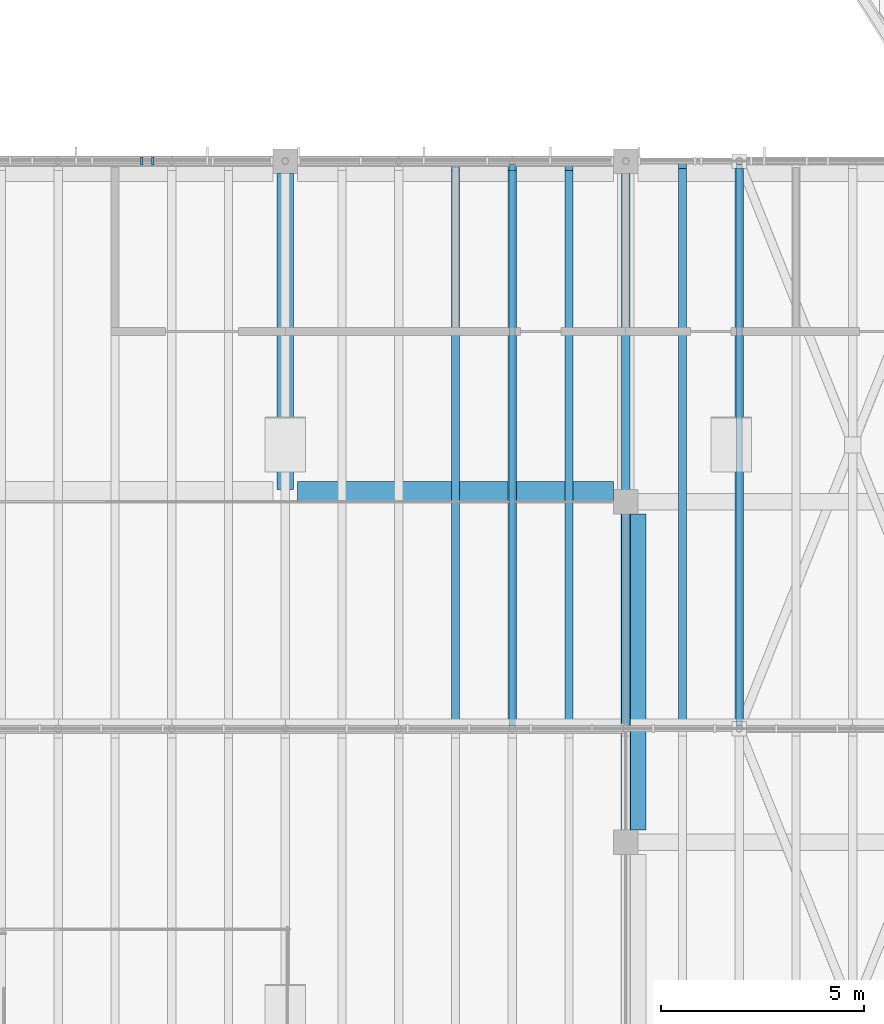
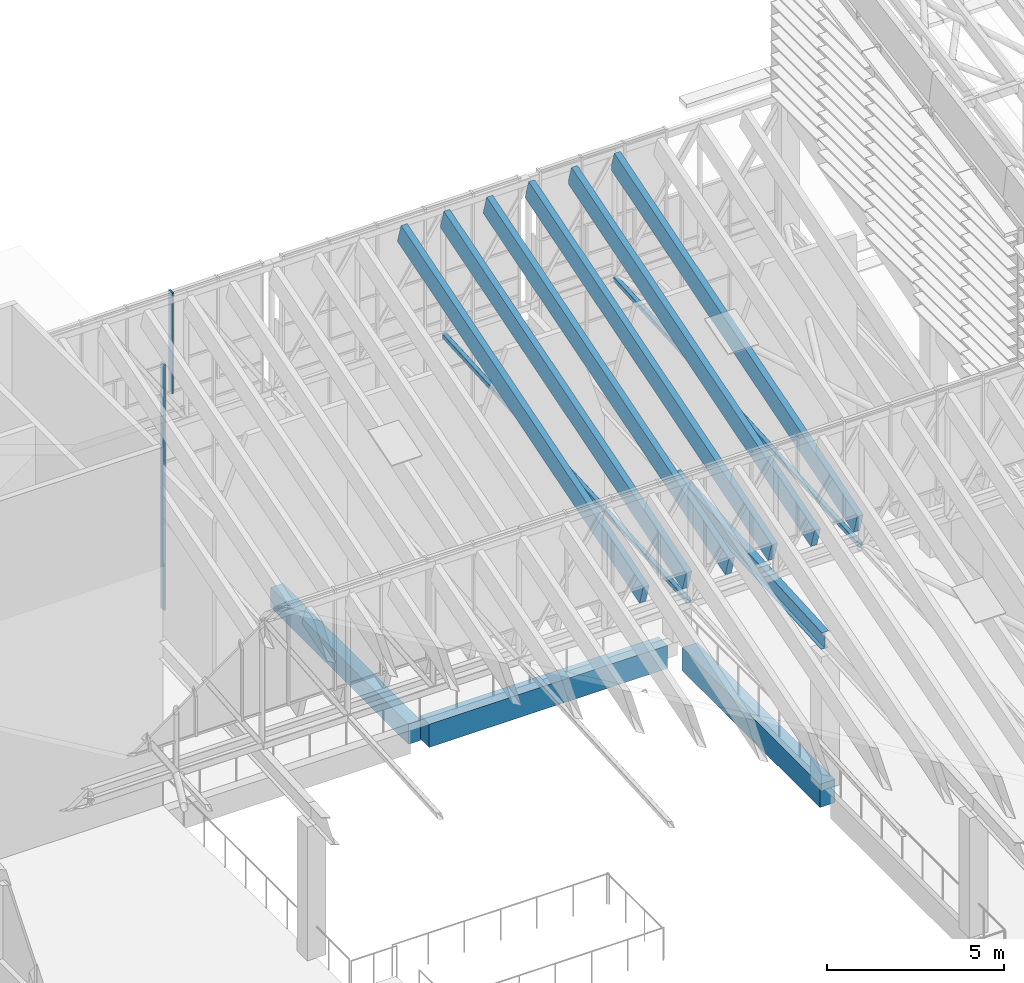
# One storey, part 32 of 91: 10 members, 4 beams, 2 elements without a shape of their own.
"""IFC4 building model written with IfcOpenShell, lengths in metres."""

import ifcopenshell
import ifcopenshell.guid

model = None  # the IFC model being written
_history = None  # IfcOwnerHistory: only IFC2X3 demands one
_inside = {}  # id of a spatial element -> (the spatial element, [elements in it])
_under = {}  # id of a project, library or spatial element -> (it, [spatial elements below it])
_declared = {}  # id of a project -> (the project, [libraries it declares])
_typed = {}  # id of a type object -> (the type object, [elements of that type])
_made_of = {}  # id of a material, layer set ... -> (it, [elements and type objects made of it])


def new_model(schema):
    """Start an empty IFC model of exactly this schema.

    Asked for "IFC4X3", IfcOpenShell would pick the latest addendum, in which some entities
    have other attributes; the version numbers below select the first issue.
    IFC2X3 requires an IfcOwnerHistory on every rooted entity: one is made here for all.
    """
    global model, _history
    if schema == "IFC4X3":
        model = ifcopenshell.file(schema_version=(4, 3, 0, 0))
    else:
        model = ifcopenshell.file(schema=schema)
    _inside.clear()
    _under.clear()
    _declared.clear()
    _typed.clear()
    _made_of.clear()
    _history = None
    if model.schema == "IFC2X3":
        org = make("IfcOrganization", Name="unknown")
        user = make(
            "IfcPersonAndOrganization",
            ThePerson=make("IfcPerson", FamilyName="unknown"),
            TheOrganization=org,
        )
        app = make(
            "IfcApplication",
            ApplicationDeveloper=org,
            Version="unknown",
            ApplicationFullName="unknown",
            ApplicationIdentifier="unknown",
        )
        _history = make(
            "IfcOwnerHistory",
            OwningUser=user,
            OwningApplication=app,
            ChangeAction="ADDED",
            CreationDate=0,
        )
    return model


def make(cls, **values):
    """One entity of the class cls with the attributes given. An attribute that is None is left unset."""
    return model.create_entity(
        cls, **{name: value for name, value in values.items() if value is not None}
    )


def rooted(cls, **values):
    """An entity with a GlobalId (a new one), such as an element, a storey or a relation."""
    return make(cls, GlobalId=ifcopenshell.guid.new(), OwnerHistory=_history, **values)


def si_unit(unit_type, name, prefix=None):
    """IfcSIUnit, for example si_unit("LENGTHUNIT", "METRE", prefix="MILLI")."""
    return make("IfcSIUnit", UnitType=unit_type, Prefix=prefix, Name=name)


def assignment(units):
    """IfcUnitAssignment: the units of a project."""
    return None if units is None else make("IfcUnitAssignment", Units=units)


def point(xyz):
    """IfcCartesianPoint."""
    return None if xyz is None else make("IfcCartesianPoint", Coordinates=xyz)


def direction(xyz):
    """IfcDirection."""
    return None if xyz is None else make("IfcDirection", DirectionRatios=xyz)


def frame(location, z_axis=None, x_axis=None):
    """IfcAxis2Placement3D, a coordinate frame: its origin and axes. An axis left out is left unset."""
    return make(
        "IfcAxis2Placement3D",
        Location=point(location),
        Axis=direction(z_axis),
        RefDirection=direction(x_axis),
    )


def frame_2d(location, x_axis=None):
    """IfcAxis2Placement2D, a coordinate frame in the plane: its origin and x axis."""
    return make(
        "IfcAxis2Placement2D", Location=point(location), RefDirection=direction(x_axis)
    )


def origin():
    """The frame at (0, 0, 0) with its axes left unset."""
    return frame((0.0, 0.0, 0.0))


def origin_2d():
    """The frame at (0, 0) in the plane with its x axis left unset."""
    return frame_2d((0.0, 0.0))


def place(relative_to, where):
    """IfcLocalPlacement: puts the frame where relative to a parent placement (None: the world)."""
    return make(
        "IfcLocalPlacement", PlacementRelTo=relative_to, RelativePlacement=where
    )


def context(
    kind, dimensions, precision=None, world=None, true_north=None, identifier=None
):
    """IfcGeometricRepresentationContext, for example the 3D "Model" context."""
    return make(
        "IfcGeometricRepresentationContext",
        ContextIdentifier=identifier,
        ContextType=kind,
        CoordinateSpaceDimension=dimensions,
        Precision=precision,
        WorldCoordinateSystem=world,
        TrueNorth=true_north,
    )


def subcontext(parent, identifier, kind, view, scale=None):
    """IfcGeometricRepresentationSubContext, for example "Body" below "Model"."""
    return make(
        "IfcGeometricRepresentationSubContext",
        ContextIdentifier=identifier,
        ContextType=kind,
        ParentContext=parent,
        TargetScale=scale,
        TargetView=view,
    )


def project(units=None, contexts=None):
    """IfcProject with its units and contexts."""
    return rooted(
        "IfcProject",
        Name="project",
        RepresentationContexts=contexts,
        UnitsInContext=assignment(units),
    )


def spatial(cls, under=None, at=None, **own):
    """A site, building, storey or space (cls), placed at a placement, below another one or the project."""
    s = rooted(cls, ObjectPlacement=at, **own)
    if under is not None:
        _under.setdefault(under.id(), (under, []))[1].append(s)
    return s


def profile(cls, at=None, kind="AREA", **sizes):
    """A parametric profile (cls). Its sizes go by their IFC names, for example OverallWidth=200.0."""
    return make(cls, ProfileType=kind, Position=at, **sizes)


def rectangle(**sizes):
    """IfcRectangleProfileDef."""
    return profile("IfcRectangleProfileDef", **sizes)


def hollow_rectangle(**sizes):
    """IfcRectangleHollowProfileDef."""
    return profile("IfcRectangleHollowProfileDef", **sizes)


def i_section(**sizes):
    """IfcIShapeProfileDef."""
    return profile("IfcIShapeProfileDef", **sizes)


def extrude(swept, where, along, depth):
    """IfcExtrudedAreaSolid: the profile swept, set in the frame where, extruded along a direction by depth."""
    return make(
        "IfcExtrudedAreaSolid",
        SweptArea=swept,
        Position=where,
        ExtrudedDirection=direction(along),
        Depth=depth,
    )


def shape(context_of_items, identifier, shape_type, items):
    """IfcShapeRepresentation: the items that make up one representation, for example the "Body"."""
    return make(
        "IfcShapeRepresentation",
        ContextOfItems=context_of_items,
        RepresentationIdentifier=identifier,
        RepresentationType=shape_type,
        Items=items,
    )


def material(Name=None, Category=None):
    """IfcMaterial."""
    return make("IfcMaterial", Name=Name, Category=Category)


def material_profile(
    of_material, cross_section, Name=None, Category=None, Priority=None
):
    """IfcMaterialProfile: a cross section and its material."""
    return make(
        "IfcMaterialProfile",
        Name=Name,
        Material=of_material,
        Profile=cross_section,
        Priority=Priority,
        Category=Category,
    )


def profile_set(profiles, Name=None, composite=None):
    """IfcMaterialProfileSet."""
    return make(
        "IfcMaterialProfileSet",
        Name=Name,
        MaterialProfiles=profiles,
        CompositeProfile=composite,
    )


def made_of(thing, what):
    """Note that an element or type object is made of a material, layer set ...; save() writes the relation."""
    if what is not None:
        _made_of.setdefault(what.id(), (what, []))[1].append(thing)
    return thing


def type_object(cls, material=None, **own):
    """A type object (cls), such as IfcWallType, which elements share."""
    return made_of(rooted(cls, **own), material)


def element(
    cls,
    number,
    at=None,
    inside=None,
    cuts=None,
    type_object=None,
    material=None,
    context=None,
    identifier="Body",
    shape_type=None,
    held_by="IfcProductDefinitionShape",
    body=None,
    shapes=None,
    **own,
):
    """One element of the class cls, such as IfcWall. Its Tag is "e" and its number.

    at: its placement. inside: the storey or other place that contains it. cuts: it is an
    opening in that element (IfcRelVoidsElement). A single representation is given by context,
    identifier, shape_type and body (its items); several are given by shapes. held_by: the class
    of the entity that holds the representations. save() writes the other relations.
    """
    e = rooted(cls, Tag="e%d" % number, ObjectPlacement=at, **own)
    if body is not None:
        shapes = [shape(context, identifier, shape_type, body)]
    if shapes is not None:
        e.Representation = make(held_by, Representations=shapes)
    if inside is not None:
        _inside.setdefault(inside.id(), (inside, []))[1].append(e)
    if cuts is not None:
        rooted(
            "IfcRelVoidsElement", RelatingBuildingElement=cuts, RelatedOpeningElement=e
        )
    if type_object is not None:
        _typed.setdefault(type_object.id(), (type_object, []))[1].append(e)
    return made_of(e, material)


def aggregate(whole, parts):
    """IfcRelAggregates: a whole, such as a stair, and the parts it consists of."""
    return rooted("IfcRelAggregates", RelatingObject=whole, RelatedObjects=parts)


def save(model, path):
    """Write the relations noted so far, then the file.

    IfcRelAggregates (storeys below a building ...), IfcRelContainedInSpatialStructure (elements
    in a storey), IfcRelDefinesByType, IfcRelAssociatesMaterial and IfcRelDeclares: one each for
    every whole, place, type object, material and project.
    """
    for whole, parts in _under.values():
        aggregate(whole, parts)
    for where, things in _inside.values():
        rooted(
            "IfcRelContainedInSpatialStructure",
            RelatedElements=things,
            RelatingStructure=where,
        )
    for kind, things in _typed.values():
        rooted("IfcRelDefinesByType", RelatedObjects=things, RelatingType=kind)
    for what, things in _made_of.values():
        rooted("IfcRelAssociatesMaterial", RelatedObjects=things, RelatingMaterial=what)
    for by, libraries in _declared.values():
        rooted("IfcRelDeclares", RelatingContext=by, RelatedDefinitions=libraries)
    model.write(path)


model = new_model("IFC4")

# Units and contexts
model_context = context("Model", 3, precision=1e-05, world=origin(), true_north=direction((0.0, 1.0)))
body_context = subcontext(model_context, "Body", "Model", "MODEL_VIEW")
ifc_project = project(units=[si_unit("LENGTHUNIT", "METRE"), si_unit("AREAUNIT", "SQUARE_METRE"), si_unit("VOLUMEUNIT", "CUBIC_METRE"), si_unit("PLANEANGLEUNIT", "RADIAN"), si_unit("MASSUNIT", "GRAM", prefix="KILO")], contexts=[model_context])

# Site, building, storey
site_placement = place(None, origin())
site = spatial("IfcSite", under=ifc_project, at=site_placement, CompositionType="ELEMENT")
building_placement = place(site_placement, origin())
building = spatial("IfcBuilding", under=site, at=building_placement, Name="Almond Square Museum", CompositionType="ELEMENT")
storey_placement = place(building_placement, frame((0.0, 0.0, 30.0)))
storey = spatial("IfcBuildingStorey", under=building, at=storey_placement, Name="L05", CompositionType="ELEMENT", Elevation=30.0)

# Curtain wall, member
ifc_material_1 = material(Name="Aluminium and laminated glass", Category="aluminium")
curtain_wall_type = type_object("IfcCurtainWallType", Name="Unitised curtain wall 1500 module", PredefinedType="NOTDEFINED", material=ifc_material_1)
curtain_wall_1_placement = place(storey_placement, origin())
curtain_wall_1 = element("IfcCurtainWall", 1, at=curtain_wall_1_placement, inside=storey, type_object=curtain_wall_type, Name="Curtain wall CW-55", PredefinedType="NOTDEFINED")
ifc_material_2 = material(Name="Anodised aluminium", Category="aluminium")
ifc_material_profile_1 = material_profile(ifc_material_2, rectangle(XDim=0.199951171875, YDim=0.06005859375, at=origin_2d()))
ifc_profile_set_1 = profile_set([ifc_material_profile_1], Name="Anodised aluminium")
member_type_1 = type_object("IfcMemberType", Name="Aluminium mullion 60 x 200", PredefinedType="MULLION", material=ifc_profile_set_1)
member_1_placement = place(storey_placement, frame((86.4599609375, 109.199951171875, 0.0), z_axis=(0.0, 0.0, 1.0), x_axis=(0.0, 1.0, 0.0)))
member_1 = element("IfcMember", 2, at=member_1_placement, type_object=member_type_1, Name="CW-55 mullion 4", PredefinedType="MULLION", context=body_context, shape_type="SweptSolid", body=[
    extrude(rectangle(XDim=0.199951171875, YDim=0.06005859375, at=origin_2d()), origin(), (0.0, 0.0, 1.0), 8.480224609375),
])
aggregate(curtain_wall_1, [member_1])

curtain_wall_2_placement = place(storey_placement, origin())
curtain_wall_2 = element("IfcCurtainWall", 3, at=curtain_wall_2_placement, inside=storey, type_object=curtain_wall_type, Name="Rooflight glazing AG3", PredefinedType="NOTDEFINED")
member_2_placement = place(storey_placement, frame((86.727294921875, 109.199951171875, 7.39990234375), z_axis=(0.0, 0.0, 1.0), x_axis=(0.0, 1.0, 0.0)))
member_2 = element("IfcMember", 4, at=member_2_placement, type_object=member_type_1, Name="CW-58 mullion 10", PredefinedType="MULLION", context=body_context, shape_type="SweptSolid", body=[
    extrude(rectangle(XDim=0.199951171875, YDim=0.06005859375, at=origin_2d()), origin(), (0.0, 0.0, 1.0), 3.480224609375),
])
aggregate(curtain_wall_2, [member_2])

# Beam
ifc_material_3 = material(Name="Structural steel S355", Category="steel")
ifc_material_profile_2 = material_profile(ifc_material_3, i_section(OverallWidth=0.22802734375, OverallDepth=0.60693359375, WebThickness=0.01123046875, FlangeThickness=0.017333984375, at=origin_2d()))
ifc_profile_set_2 = profile_set([ifc_material_profile_2], Name="Structural steel S355")
beam_type_1 = type_object("IfcBeamType", Name="Girder W610x113", PredefinedType="BEAM", material=ifc_profile_set_2)
beam_1_placement = place(storey_placement, frame((98.39990234375, 92.39990234375, 4.916748046875), z_axis=(0.0, 0.998371523297, 0.057046485157), x_axis=(-1.0, 0.0, 0.0)))
element("IfcBeam", 5, at=beam_1_placement, inside=storey, type_object=beam_type_1, Name="Atrium roof girder 3.3", PredefinedType="BEAM", context=body_context, shape_type="SweptSolid", body=[
    extrude(i_section(OverallWidth=0.22802734375, OverallDepth=0.60693359375, WebThickness=0.01123046875, FlangeThickness=0.017333984375, at=origin_2d()), origin(), (0.0, 0.0, 1.0), 8.413818359375),
])

# Members
ifc_material_4 = material(Name="Glulam GL28h", Category="wood")
ifc_material_profile_3 = material_profile(ifc_material_4, rectangle(XDim=0.199951171875, YDim=0.699951171875, at=origin_2d()))
ifc_profile_set_3 = profile_set([ifc_material_profile_3], Name="Glulam GL28h")
member_type_2 = type_object("IfcMemberType", Name="Glulam rafter GL28h 200x700", PredefinedType="RAFTER", material=ifc_profile_set_3)
for number, where, z_axis, x_axis, name in (
    (6, (94.199951171875, 95.35791015625, 6.177734375), (0.0, 0.956302273391, 0.292379824727), (-1.0, 0.0, 0.0), "Atrium rafter 3.16"),
    (7, (95.60009765625, 95.35791015625, 6.177734375), (0.0, 0.956302273391, 0.292379824727), (-1.0, 0.0, 0.0), "Atrium rafter 3.17"),
    (8, (97.0, 95.35791015625, 6.177734375), (0.0, 0.956302273391, 0.292379824727), (-1.0, 0.0, 0.0), "Atrium rafter 3.18"),
):
    element("IfcMember", number, at=place(storey_placement, frame(where, z_axis=z_axis, x_axis=x_axis)), inside=storey, type_object=member_type_2, Name=name, PredefinedType="RAFTER", context=body_context, shape_type="SweptSolid", body=[
        extrude(rectangle(XDim=0.199951171875, YDim=0.699951171875, at=origin_2d()), origin(), (0.0, 0.0, 1.0), 14.34375),
    ])
for number, where, z_axis, x_axis, name in (
    (9, (98.39990234375, 95.35791015625, 6.177734375), (0.0, 0.956305482031, 0.29236932985), (-1.0, 0.0, 0.0), "Atrium rafter 3.19"),
    (10, (99.800048828125, 95.35791015625, 6.177734375), (0.0, 0.956305482031, 0.29236932985), (-1.0, 0.0, 0.0), "Atrium rafter 3.20"),
    (11, (101.199951171875, 95.35791015625, 6.177734375), (0.0, 0.956305482031, 0.29236932985), (-1.0, 0.0, 0.0), "Atrium rafter 3.21"),
):
    element("IfcMember", number, at=place(storey_placement, frame(where, z_axis=z_axis, x_axis=x_axis)), inside=storey, type_object=member_type_2, Name=name, PredefinedType="RAFTER", context=body_context, shape_type="SweptSolid", body=[
        extrude(rectangle(XDim=0.199951171875, YDim=0.699951171875, at=origin_2d()), origin(), (0.0, 0.0, 1.0), 14.396240234375),
    ])

# Beams
ifc_material_5 = material(Name="Concrete C40/50", Category="concrete")
ifc_material_profile_4 = material_profile(ifc_material_5, rectangle(XDim=0.39990234375, YDim=0.699951171875, at=origin_2d()))
ifc_profile_set_4 = profile_set([ifc_material_profile_4], Name="Concrete C40/50")
beam_type_2 = type_object("IfcBeamType", Name="RC beam 400 x 700 C40/50", PredefinedType="BEAM", material=ifc_profile_set_4)
beam_2_placement = place(storey_placement, frame((90.0, 101.10009765625, -0.60009765625), z_axis=(0.0, 1.0, 0.0), x_axis=(-1.0, 0.0, 0.0)))
element("IfcBeam", 12, at=beam_2_placement, inside=storey, type_object=beam_type_2, Name="Beam 12 M-N L05", PredefinedType="BEAM", context=body_context, shape_type="SweptSolid", body=[
    extrude(rectangle(XDim=0.39990234375, YDim=0.699951171875, at=origin_2d()), origin(), (0.0, 0.0, 1.0), 7.7998046875),
])
ifc_material_6 = material(Name="Concrete C40/50", Category="concrete")
ifc_material_profile_5 = material_profile(ifc_material_6, rectangle(XDim=0.5, YDim=0.800048828125, at=origin_2d()))
ifc_profile_set_5 = profile_set([ifc_material_profile_5], Name="Concrete C40/50")
beam_type_3 = type_object("IfcBeamType", Name="RC edge beam 500 x 800 C40/50", PredefinedType="BEAM", material=ifc_profile_set_5)
for number, where, z_axis, x_axis, name in (
    (13, (90.300048828125, 101.050048828125, -0.64990234375), (1.0, 0.0, 0.0), (0.0, 1.0, 0.0), "Edge beam M 12-13 L05"),
    (14, (98.64990234375, 92.699951171875, -0.64990234375), (0.0, 1.0, 0.0), (-1.0, 0.0, 0.0), "Edge beam 13 L-M L05"),
):
    element("IfcBeam", number, at=place(storey_placement, frame(where, z_axis=z_axis, x_axis=x_axis)), inside=storey, type_object=beam_type_3, Name=name, PredefinedType="BEAM", context=body_context, shape_type="SweptSolid", body=[
        extrude(rectangle(XDim=0.5, YDim=0.800048828125, at=origin_2d()), origin(), (0.0, 0.0, 1.0), 7.800048828125),
    ])

# Members
ifc_material_7 = material(Name="Structural steel S355", Category="steel")
ifc_material_profile_6 = material_profile(ifc_material_7, hollow_rectangle(XDim=0.14990234375, YDim=0.14990234375, WallThickness=0.008056640625, InnerFilletRadius=0.011962890625, OuterFilletRadius=0.02001953125, at=origin_2d()))
ifc_profile_set_6 = profile_set([ifc_material_profile_6], Name="Structural steel S355")
member_type_3 = type_object("IfcMemberType", Name="Truss tie SHS 150x150x8", PredefinedType="MEMBER", material=ifc_profile_set_6)
for number, where, z_axis, x_axis, name in (
    (15, (95.60009765625, 95.27490234375, 5.505126953125), (0.0, 0.998335774698, 0.057668717322), (-1.0, 0.0, 0.0), "Atrium bay 2 tie 5"),
    (16, (101.199951171875, 95.27490234375, 5.505126953125), (0.0, 0.998335774698, 0.057668717322), (-1.0, 0.0, 0.0), "Atrium bay 2 tie 6"),
):
    element("IfcMember", number, at=place(storey_placement, frame(where, z_axis=z_axis, x_axis=x_axis)), inside=storey, type_object=member_type_3, Name=name, PredefinedType="MEMBER", context=body_context, shape_type="SweptSolid", body=[
        extrude(hollow_rectangle(XDim=0.14990234375, YDim=0.14990234375, WallThickness=0.008056640625, InnerFilletRadius=0.011962890625, OuterFilletRadius=0.02001953125, at=origin_2d()), origin(), (0.0, 0.0, 1.0), 13.873291015625),
    ])

save(model, "model.ifc")
